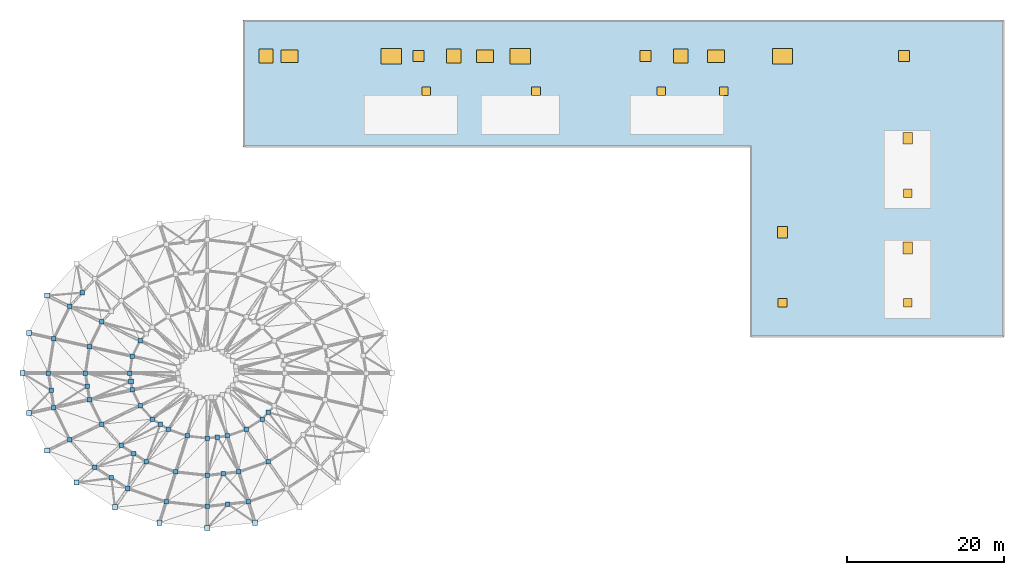
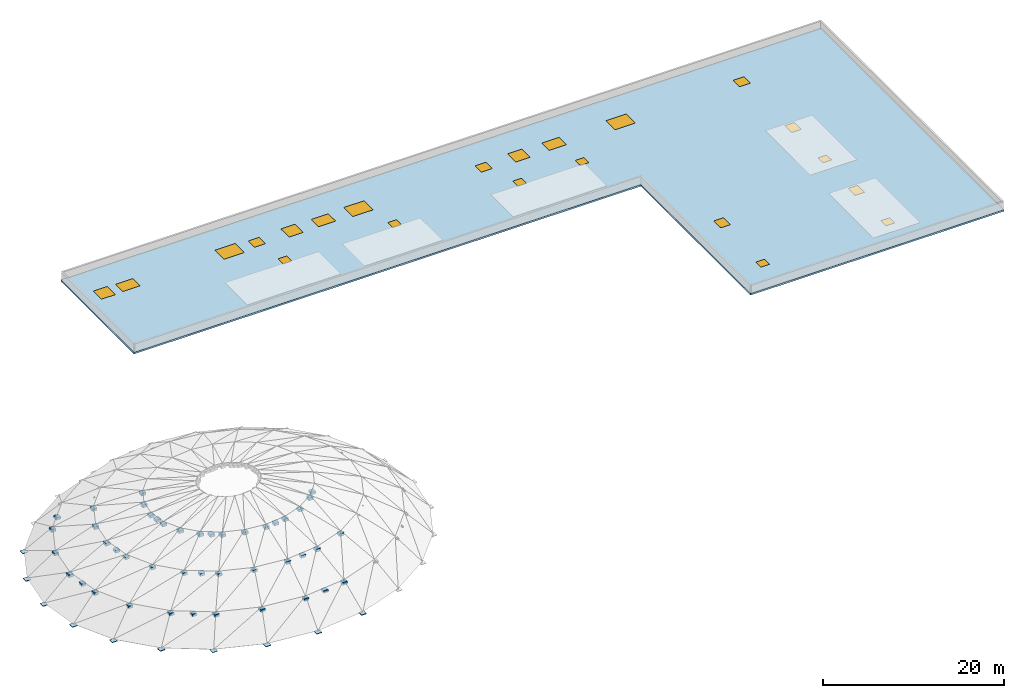
"""IFC4 building model written with IfcOpenShell, lengths in metres."""

from ifc_helpers import new_model, si_unit, direction, frame, origin, origin_2d, place, context, subcontext, project, spatial, polyline, rectangle, outline, extrude, material, layer, layer_set, type_object, element, fill, save


model = new_model("IFC4")

# Units and contexts
model_context = context("Model", 3, precision=1e-05, world=origin(), true_north=direction((0.0, 1.0)))
body_context = subcontext(model_context, "Body", "Model", "MODEL_VIEW")
ifc_project = project(units=[si_unit("LENGTHUNIT", "METRE"), si_unit("AREAUNIT", "SQUARE_METRE"), si_unit("VOLUMEUNIT", "CUBIC_METRE"), si_unit("PLANEANGLEUNIT", "RADIAN"), si_unit("MASSUNIT", "GRAM", prefix="KILO")], contexts=[model_context])

# Site, building, storey
site_placement = place(None, origin())
site = spatial("IfcSite", under=ifc_project, at=site_placement, CompositionType="ELEMENT")
building_placement = place(site_placement, origin())
building = spatial("IfcBuilding", under=site, at=building_placement, Name="Parian Resonance Hall", CompositionType="ELEMENT")
storey_1_placement = place(building_placement, frame((0.0, 0.0, 27.60009765625)))
storey_1 = spatial("IfcBuildingStorey", under=building, at=storey_1_placement, Name="ROOF", CompositionType="ELEMENT", Elevation=27.60009765625)

# Plates
ifc_material_1 = material(Name="Steel S355", Category="steel")
ifc_layer_1 = layer(ifc_material_1, 0.06005859375)
ifc_layer_set_1 = layer_set([ifc_layer_1], Name="Steel S355")
plate_type_1 = type_object("IfcPlateType", Name="PLT-BASE-060", PredefinedType="USERDEFINED", material=ifc_layer_set_1)
for number, where, z_axis, x_axis, name in (
    (1, (23.561767578125, 53.89990234375, -6.670166015625), (0.0, 0.0, 1.0), (1.0, 0.0, 0.0), "Dome arch rib base shoe plate 11"),
    (2, (20.39990234375, 44.0, -6.670166015625), (0.0, 0.0, 1.0), (1.0, 0.0, 0.0), "Dome arch rib base shoe plate 13"),
    (3, (23.561767578125, 34.10009765625, -6.670166015625), (0.0, 0.0, 1.0), (1.0, 0.0, 0.0), "Dome arch rib base shoe plate 15"),
    (4, (32.199951171875, 26.852783203125, -6.670166015625), (0.0, 0.0, 1.0), (1.0, 0.0, 0.0), "Dome arch rib base shoe plate 17"),
    (5, (44.0, 24.199951171875, -6.670166015625), (0.0, 0.0, 1.0), (1.0, 0.0, 0.0), "Dome arch rib base shoe plate 19"),
):
    element("IfcPlate", number, at=place(storey_1_placement, frame(where, z_axis=z_axis, x_axis=x_axis)), inside=storey_1, type_object=plate_type_1, Name=name, ObjectType="BASE PLATE", PredefinedType="USERDEFINED", context=body_context, shape_type="SweptSolid", body=[
        extrude(rectangle(XDim=0.64990234375, YDim=0.64990234375, at=origin_2d()), origin(), (0.0, 0.0, 1.0), 0.06005859375),
    ])
ifc_material_2 = material(Name="Steel S355", Category="steel")
ifc_layer_2 = layer(ifc_material_2, 0.080078125)
ifc_layer_set_2 = layer_set([ifc_layer_2], Name="Steel S355")
plate_type_2 = type_object("IfcPlateType", Name="PLT-BASE-080", PredefinedType="USERDEFINED", material=ifc_layer_set_2)
for number, where, z_axis, x_axis, name in (
    (6, (21.2041015625, 49.12451171875, -6.68017578125), (0.0, 0.0, 1.0), (1.0, 0.0, 0.0), "Dome arch rib base shoe plate 12"),
    (7, (21.2041015625, 38.87548828125, -6.68017578125), (0.0, 0.0, 1.0), (1.0, 0.0, 0.0), "Dome arch rib base shoe plate 14"),
    (8, (27.312255859375, 29.999267578125, -6.68017578125), (0.0, 0.0, 1.0), (1.0, 0.0, 0.0), "Dome arch rib base shoe plate 16"),
    (9, (37.891845703125, 24.874755859375, -6.68017578125), (0.0, 0.0, 1.0), (1.0, 0.0, 0.0), "Dome arch rib base shoe plate 18"),
    (10, (50.108154296875, 24.874755859375, -6.68017578125), (0.0, 0.0, 1.0), (1.0, 0.0, 0.0), "Dome arch rib base shoe plate 20"),
):
    element("IfcPlate", number, at=place(storey_1_placement, frame(where, z_axis=z_axis, x_axis=x_axis)), inside=storey_1, type_object=plate_type_2, Name=name, ObjectType="BASE PLATE", PredefinedType="USERDEFINED", context=body_context, shape_type="SweptSolid", body=[
        extrude(rectangle(XDim=0.64990234375, YDim=0.64990234375, at=origin_2d()), origin(), (0.0, 0.0, 1.0), 0.080078125),
    ])
ifc_material_3 = material(Name="Steel S355", Category="steel")
ifc_layer_3 = layer(ifc_material_3, 0.340087890625)
ifc_layer_set_3 = layer_set([ifc_layer_3], Name="Steel S355")
plate_type_3 = type_object("IfcPlateType", Name="PLT-CAP-500", PredefinedType="SHEET", material=ifc_layer_set_3)
for number, where, z_axis, x_axis, name in (
    (11, (24.050048828125, 41.7958984375, -3.9599609375), (0.0, 0.0, 1.0), (1.0, 0.0, 0.0), "Steel hollow-section node closure block 0096"),
    (12, (26.423095703125, 35.486083984375, -3.9599609375), (0.0, 0.0, 1.0), (1.0, 0.0, 0.0), "Steel hollow-section node closure block 0102"),
    (13, (28.035888671875, 54.277099609375, -3.9599609375), (0.0, 0.0, 1.0), (1.0, 0.0, 0.0), "Steel hollow-section node closure block 0111"),
    (14, (28.955078125, 40.617919921875, -1.3603515625), (0.0, 0.0, 1.0), (1.0, 0.0, 0.0), "Steel hollow-section node closure block 0114"),
    (15, (30.510986328125, 50.533935546875, -1.3603515625), (0.0, 0.0, 1.0), (1.0, 0.0, 0.0), "Steel hollow-section node closure block 0126"),
    (16, (34.426025390625, 41.847900390625, 0.43994140625), (0.0, 0.0, 1.0), (1.0, 0.0, 0.0), "Steel hollow-section node closure block 0141"),
    (17, (34.59912109375, 33.720947265625, -1.3603515625), (0.0, 0.0, 1.0), (1.0, 0.0, 0.0), "Steel hollow-section node closure block 0147"),
    (18, (39.968994140625, 31.376953125, -1.3603515625), (0.0, 0.0, 1.0), (1.0, 0.0, 0.0), "Steel hollow-section node closure block 0162"),
    (19, (44.0, 26.971923828125, -3.9599609375), (0.0, 0.0, 1.0), (1.0, 0.0, 0.0), "Steel hollow-section node closure block 0192"),
    (20, (46.626953125, 27.261962890625, -3.9599609375), (0.0, 0.0, 1.0), (1.0, 0.0, 0.0), "Steel hollow-section node closure block 0210"),
    (21, (51.7880859375, 32.68310546875, -1.3603515625), (0.0, 0.0, 1.0), (1.0, 0.0, 0.0), "Steel hollow-section node closure block 0237"),
):
    element("IfcPlate", number, at=place(storey_1_placement, frame(where, z_axis=z_axis, x_axis=x_axis)), inside=storey_1, type_object=plate_type_3, Name=name, PredefinedType="SHEET", context=body_context, shape_type="SweptSolid", body=[
        extrude(rectangle(XDim=0.580078125, YDim=0.580078125, at=origin_2d()), origin(), (0.0, 0.0, 1.0), 0.340087890625),
    ])
ifc_material_4 = material(Name="Steel S355", Category="steel")
ifc_layer_4 = layer(ifc_material_4, 0.360107421875)
ifc_layer_set_4 = layer_set([ifc_layer_4], Name="Steel S355")
plate_type_4 = type_object("IfcPlateType", Name="PLT-GUS-520", PredefinedType="USERDEFINED", material=ifc_layer_set_4)
for number, where, z_axis, x_axis, name in (
    (22, (23.7041015625, 44.0, -3.97021484375), (0.0, 0.0, 1.0), (1.0, 0.0, 0.0), "Steel hollow-section node closure block 0092"),
    (23, (24.39599609375, 48.406982421875, -3.97021484375), (0.0, 0.0, 1.0), (1.0, 0.0, 0.0), "Steel hollow-section node closure block 0098"),
    (24, (28.68896484375, 42.30908203125, -1.3701171875), (0.0, 0.0, 1.0), (1.0, 0.0, 0.0), "Steel hollow-section node closure block 0113"),
    (25, (29.64892578125, 31.958984375, -3.97021484375), (0.0, 0.0, 1.0), (1.0, 0.0, 0.0), "Steel hollow-section node closure block 0122"),
    (26, (30.510986328125, 37.466064453125, -1.3701171875), (0.0, 0.0, 1.0), (1.0, 0.0, 0.0), "Steel hollow-section node closure block 0125"),
    (27, (31.75, 30.60595703125, -3.97021484375), (0.0, 0.0, 1.0), (1.0, 0.0, 0.0), "Steel hollow-section node closure block 0128"),
    (28, (32.986083984375, 34.760009765625, -1.3701171875), (0.0, 0.0, 1.0), (1.0, 0.0, 0.0), "Steel hollow-section node closure block 0134"),
    (29, (33.85205078125, 29.2529296875, -3.97021484375), (0.0, 0.0, 1.0), (1.0, 0.0, 0.0), "Steel hollow-section node closure block 0137"),
    (30, (34.257080078125, 42.924072265625, 0.4296875), (0.0, 0.0, 1.0), (1.0, 0.0, 0.0), "Steel hollow-section node closure block 0140"),
    (31, (35.416015625, 48.157958984375, 0.4296875), (0.0, 0.0, 1.0), (1.0, 0.0, 0.0), "Steel hollow-section node closure block 0149"),
    (32, (36.2119140625, 32.68310546875, -1.3701171875), (0.0, 0.0, 1.0), (1.0, 0.0, 0.0), "Steel hollow-section node closure block 0152"),
    (33, (38.7470703125, 27.552001953125, -3.97021484375), (0.0, 0.0, 1.0), (1.0, 0.0, 0.0), "Steel hollow-section node closure block 0158"),
    (34, (41.43505859375, 35.967041015625, 0.4296875), (0.0, 0.0, 1.0), (1.0, 0.0, 0.0), "Steel hollow-section node closure block 0176"),
    (35, (44.0, 35.68408203125, 0.4296875), (0.0, 0.0, 1.0), (1.0, 0.0, 0.0), "Steel hollow-section node closure block 0194"),
    (36, (45.282958984375, 35.825927734375, 0.4296875), (0.0, 0.0, 1.0), (1.0, 0.0, 0.0), "Steel hollow-section node closure block 0203"),
    (37, (46.01611328125, 31.155029296875, -1.3701171875), (0.0, 0.0, 1.0), (1.0, 0.0, 0.0), "Steel hollow-section node closure block 0206"),
    (38, (51.7958984375, 38.98095703125, 0.4296875), (0.0, 0.0, 1.0), (1.0, 0.0, 0.0), "Steel hollow-section node closure block 0239"),
):
    element("IfcPlate", number, at=place(storey_1_placement, frame(where, z_axis=z_axis, x_axis=x_axis)), inside=storey_1, type_object=plate_type_4, Name=name, ObjectType="GUSSET PLATE", PredefinedType="USERDEFINED", context=body_context, shape_type="SweptSolid", body=[
        extrude(rectangle(XDim=0.580078125, YDim=0.580078125, at=origin_2d()), origin(), (0.0, 0.0, 1.0), 0.360107421875),
    ])
ifc_material_5 = material(Name="Steel S355", Category="steel")
ifc_layer_5 = layer(ifc_material_5, 0.3798828125)
ifc_layer_set_5 = layer_set([ifc_layer_5], Name="Steel S355")
plate_type_5 = type_object("IfcPlateType", Name="PLT-GUS-540", PredefinedType="USERDEFINED", material=ifc_layer_set_5)
for number, where, z_axis, x_axis, name in (
    (39, (24.39599609375, 39.593017578125, -3.97998046875), (0.0, 0.0, 1.0), (1.0, 0.0, 0.0), "Steel hollow-section node closure block 0097"),
    (40, (26.423095703125, 52.513916015625, -3.97998046875), (0.0, 0.0, 1.0), (1.0, 0.0, 0.0), "Steel hollow-section node closure block 0103"),
    (41, (28.424072265625, 44.0, -1.380126953125), (0.0, 0.0, 1.0), (1.0, 0.0, 0.0), "Steel hollow-section node closure block 0112"),
    (42, (28.955078125, 47.382080078125, -1.380126953125), (0.0, 0.0, 1.0), (1.0, 0.0, 0.0), "Steel hollow-section node closure block 0115"),
    (43, (34.087890625, 44.0, 0.419921875), (0.0, 0.0, 1.0), (1.0, 0.0, 0.0), "Steel hollow-section node closure block 0139"),
    (44, (34.426025390625, 46.152099609375, 0.419921875), (0.0, 0.0, 1.0), (1.0, 0.0, 0.0), "Steel hollow-section node closure block 0142"),
    (45, (35.416015625, 39.842041015625, 0.419921875), (0.0, 0.0, 1.0), (1.0, 0.0, 0.0), "Steel hollow-section node closure block 0148"),
    (46, (36.990966796875, 38.1201171875, 0.419921875), (0.0, 0.0, 1.0), (1.0, 0.0, 0.0), "Steel hollow-section node closure block 0154"),
    (47, (38.01806640625, 37.458984375, 0.419921875), (0.0, 0.0, 1.0), (1.0, 0.0, 0.0), "Steel hollow-section node closure block 0157"),
    (48, (39.0439453125, 36.798095703125, 0.419921875), (0.0, 0.0, 1.0), (1.0, 0.0, 0.0), "Steel hollow-section node closure block 0160"),
    (49, (44.0, 30.931884765625, -1.380126953125), (0.0, 0.0, 1.0), (1.0, 0.0, 0.0), "Steel hollow-section node closure block 0193"),
    (50, (46.56494140625, 35.967041015625, 0.419921875), (0.0, 0.0, 1.0), (1.0, 0.0, 0.0), "Steel hollow-section node closure block 0208"),
    (51, (48.031005859375, 31.376953125, -1.380126953125), (0.0, 0.0, 1.0), (1.0, 0.0, 0.0), "Steel hollow-section node closure block 0220"),
    (52, (48.9560546875, 36.798095703125, 0.419921875), (0.0, 0.0, 1.0), (1.0, 0.0, 0.0), "Steel hollow-section node closure block 0223"),
    (53, (49.2529296875, 27.552001953125, -3.97998046875), (0.0, 0.0, 1.0), (1.0, 0.0, 0.0), "Steel hollow-section node closure block 0226"),
    (54, (51.009033203125, 38.1201171875, 0.419921875), (0.0, 0.0, 1.0), (1.0, 0.0, 0.0), "Steel hollow-section node closure block 0235"),
):
    element("IfcPlate", number, at=place(storey_1_placement, frame(where, z_axis=z_axis, x_axis=x_axis)), inside=storey_1, type_object=plate_type_5, Name=name, ObjectType="GUSSET PLATE", PredefinedType="USERDEFINED", context=body_context, shape_type="SweptSolid", body=[
        extrude(rectangle(XDim=0.580078125, YDim=0.580078125, at=origin_2d()), origin(), (0.0, 0.0, 1.0), 0.3798828125),
    ])

# Slab, openings
ifc_material_6 = material(Name="Concrete C35/45", Category="concrete")
ifc_layer_6 = layer(ifc_material_6, 0.22998046875)
ifc_layer_set_6 = layer_set([ifc_layer_6], Name="Concrete C35/45")
slab_type = type_object("IfcSlabType", Name="SLB-ROOF-200", PredefinedType="ROOF", material=ifc_layer_set_6)
slab_placement = place(storey_1_placement, frame((0.0, 0.0, -0.22998046875)))
slab = element("IfcSlab", 55, at=slab_placement, inside=storey_1, type_object=slab_type, Name="Upper studio and plant wing main roof slab", PredefinedType="ROOF", context=body_context, shape_type="SweptSolid", body=[
    extrude(outline(polyline([(113.39990234375, 89.10009765625), (48.60009765625, 89.10009765625), (48.60009765625, 72.89990234375), (113.39990234375, 72.89990234375), (113.39990234375, 48.60009765625), (145.800048828125, 48.60009765625), (145.800048828125, 89.10009765625), (113.39990234375, 89.10009765625)])), origin(), (0.0, 0.0, 1.0), 0.22998046875),
])
opening_1_placement = place(slab_placement, frame((51.5, 84.5, 0.0)))
opening_1 = element("IfcOpeningElement", 56, at=opening_1_placement, cuts=slab, Name="Opening SK-02", PredefinedType="OPENING", context=body_context, shape_type="SweptSolid", body=[
    extrude(rectangle(XDim=1.800048828125, YDim=1.800048828125, at=origin_2d()), origin(), (0.0, 0.0, 1.0), 0.22998046875),
])
opening_2_placement = place(slab_placement, frame((54.5, 84.5, 0.0)))
opening_2 = element("IfcOpeningElement", 57, at=opening_2_placement, cuts=slab, Name="Opening SK-03", PredefinedType="OPENING", context=body_context, shape_type="SweptSolid", body=[
    extrude(rectangle(XDim=2.199951171875, YDim=1.60009765625, at=origin_2d()), origin(), (0.0, 0.0, 1.0), 0.22998046875),
])
opening_3_placement = place(slab_placement, frame((67.5, 84.5, 0.0)))
opening_3 = element("IfcOpeningElement", 58, at=opening_3_placement, cuts=slab, Name="Opening SK-04", PredefinedType="OPENING", context=body_context, shape_type="SweptSolid", body=[
    extrude(rectangle(XDim=2.60009765625, YDim=2.0, at=origin_2d()), origin(), (0.0, 0.0, 1.0), 0.22998046875),
])
opening_4_placement = place(slab_placement, frame((71.0, 84.5, 0.0)))
opening_4 = element("IfcOpeningElement", 59, at=opening_4_placement, cuts=slab, Name="Opening SK-01", PredefinedType="OPENING", context=body_context, shape_type="SweptSolid", body=[
    extrude(rectangle(XDim=1.39990234375, YDim=1.39990234375, at=origin_2d()), origin(), (0.0, 0.0, 1.0), 0.22998046875),
])
opening_5_placement = place(slab_placement, frame((75.5, 84.5, 0.0)))
opening_5 = element("IfcOpeningElement", 60, at=opening_5_placement, cuts=slab, Name="Opening SK-02", PredefinedType="OPENING", context=body_context, shape_type="SweptSolid", body=[
    extrude(rectangle(XDim=1.800048828125, YDim=1.800048828125, at=origin_2d()), origin(), (0.0, 0.0, 1.0), 0.22998046875),
])
opening_6_placement = place(slab_placement, frame((79.5, 84.5, 0.0)))
opening_6 = element("IfcOpeningElement", 61, at=opening_6_placement, cuts=slab, Name="Opening SK-03", PredefinedType="OPENING", context=body_context, shape_type="SweptSolid", body=[
    extrude(rectangle(XDim=2.199951171875, YDim=1.60009765625, at=origin_2d()), origin(), (0.0, 0.0, 1.0), 0.22998046875),
])
opening_7_placement = place(slab_placement, frame((84.0, 84.5, 0.0)))
opening_7 = element("IfcOpeningElement", 62, at=opening_7_placement, cuts=slab, Name="Opening SK-04", PredefinedType="OPENING", context=body_context, shape_type="SweptSolid", body=[
    extrude(rectangle(XDim=2.60009765625, YDim=2.0, at=origin_2d()), origin(), (0.0, 0.0, 1.0), 0.22998046875),
])
opening_8_placement = place(slab_placement, frame((100.0, 84.5, 0.0)))
opening_8 = element("IfcOpeningElement", 63, at=opening_8_placement, cuts=slab, Name="Opening SK-01", PredefinedType="OPENING", context=body_context, shape_type="SweptSolid", body=[
    extrude(rectangle(XDim=1.39990234375, YDim=1.39990234375, at=origin_2d()), origin(), (0.0, 0.0, 1.0), 0.22998046875),
])
opening_9_placement = place(slab_placement, frame((104.5, 84.5, 0.0)))
opening_9 = element("IfcOpeningElement", 64, at=opening_9_placement, cuts=slab, Name="Opening SK-02", PredefinedType="OPENING", context=body_context, shape_type="SweptSolid", body=[
    extrude(rectangle(XDim=1.800048828125, YDim=1.800048828125, at=origin_2d()), origin(), (0.0, 0.0, 1.0), 0.22998046875),
])
opening_10_placement = place(slab_placement, frame((109.0, 84.5, 0.0)))
opening_10 = element("IfcOpeningElement", 65, at=opening_10_placement, cuts=slab, Name="Opening SK-03", PredefinedType="OPENING", context=body_context, shape_type="SweptSolid", body=[
    extrude(rectangle(XDim=2.199951171875, YDim=1.60009765625, at=origin_2d()), origin(), (0.0, 0.0, 1.0), 0.22998046875),
])
opening_11_placement = place(slab_placement, frame((117.5, 84.5, 0.0)))
opening_11 = element("IfcOpeningElement", 66, at=opening_11_placement, cuts=slab, Name="Opening SK-04", PredefinedType="OPENING", context=body_context, shape_type="SweptSolid", body=[
    extrude(rectangle(XDim=2.60009765625, YDim=2.0, at=origin_2d()), origin(), (0.0, 0.0, 1.0), 0.22998046875),
])
opening_12_placement = place(slab_placement, frame((133.0, 84.5, 0.0)))
opening_12 = element("IfcOpeningElement", 67, at=opening_12_placement, cuts=slab, Name="Opening SK-01", PredefinedType="OPENING", context=body_context, shape_type="SweptSolid", body=[
    extrude(rectangle(XDim=1.39990234375, YDim=1.39990234375, at=origin_2d()), origin(), (0.0, 0.0, 1.0), 0.22998046875),
])
opening_13_placement = place(slab_placement, frame((117.5, 53.0, 0.0)))
opening_13 = element("IfcOpeningElement", 68, at=opening_13_placement, cuts=slab, Name="Opening RH-01", PredefinedType="OPENING", context=body_context, shape_type="SweptSolid", body=[
    extrude(rectangle(XDim=1.10009765625, YDim=1.10009765625, at=origin_2d()), origin(), (0.0, 0.0, 1.0), 0.22998046875),
])
opening_14_placement = place(slab_placement, frame((117.5, 62.0, 0.0)))
opening_14 = element("IfcOpeningElement", 69, at=opening_14_placement, cuts=slab, Name="Opening RH-02", PredefinedType="OPENING", context=body_context, shape_type="SweptSolid", body=[
    extrude(rectangle(XDim=1.219970703125, YDim=1.52001953125, at=origin_2d()), origin(), (0.0, 0.0, 1.0), 0.22998046875),
])
opening_15_placement = place(slab_placement, frame((133.5, 53.0, 0.0)))
opening_15 = element("IfcOpeningElement", 70, at=opening_15_placement, cuts=slab, Name="Opening RH-01", PredefinedType="OPENING", context=body_context, shape_type="SweptSolid", body=[
    extrude(rectangle(XDim=1.10009765625, YDim=1.10009765625, at=origin_2d()), origin(), (0.0, 0.0, 1.0), 0.22998046875),
])
opening_16_placement = place(slab_placement, frame((133.5, 60.0, 0.0)))
opening_16 = element("IfcOpeningElement", 71, at=opening_16_placement, cuts=slab, Name="Opening RH-02", PredefinedType="OPENING", context=body_context, shape_type="SweptSolid", body=[
    extrude(rectangle(XDim=1.219970703125, YDim=1.52001953125, at=origin_2d()), origin(), (0.0, 0.0, 1.0), 0.22998046875),
])
opening_17_placement = place(slab_placement, frame((133.5, 67.0, 0.0)))
opening_17 = element("IfcOpeningElement", 72, at=opening_17_placement, cuts=slab, Name="Opening RH-01", PredefinedType="OPENING", context=body_context, shape_type="SweptSolid", body=[
    extrude(rectangle(XDim=1.10009765625, YDim=1.10009765625, at=origin_2d()), origin(), (0.0, 0.0, 1.0), 0.22998046875),
])
opening_18_placement = place(slab_placement, frame((133.5, 74.0, 0.0)))
opening_18 = element("IfcOpeningElement", 73, at=opening_18_placement, cuts=slab, Name="Opening RH-02", PredefinedType="OPENING", context=body_context, shape_type="SweptSolid", body=[
    extrude(rectangle(XDim=1.219970703125, YDim=1.52001953125, at=origin_2d()), origin(), (0.0, 0.0, 1.0), 0.22998046875),
])
opening_19_placement = place(slab_placement, frame((72.0, 80.0, 0.0)))
opening_19 = element("IfcOpeningElement", 74, at=opening_19_placement, cuts=slab, Name="Opening RH-01", PredefinedType="OPENING", context=body_context, shape_type="SweptSolid", body=[
    extrude(rectangle(XDim=1.10009765625, YDim=1.10009765625, at=origin_2d()), origin(), (0.0, 0.0, 1.0), 0.22998046875),
])
opening_20_placement = place(slab_placement, frame((86.0, 80.0, 0.0)))
opening_20 = element("IfcOpeningElement", 75, at=opening_20_placement, cuts=slab, Name="Opening RH-01", PredefinedType="OPENING", context=body_context, shape_type="SweptSolid", body=[
    extrude(rectangle(XDim=1.10009765625, YDim=1.10009765625, at=origin_2d()), origin(), (0.0, 0.0, 1.0), 0.22998046875),
])
opening_21_placement = place(slab_placement, frame((102.0, 80.0, 0.0)))
opening_21 = element("IfcOpeningElement", 76, at=opening_21_placement, cuts=slab, Name="Opening RH-01", PredefinedType="OPENING", context=body_context, shape_type="SweptSolid", body=[
    extrude(rectangle(XDim=1.10009765625, YDim=1.10009765625, at=origin_2d()), origin(), (0.0, 0.0, 1.0), 0.22998046875),
])
opening_22_placement = place(slab_placement, frame((110.0, 80.0, 0.0)))
opening_22 = element("IfcOpeningElement", 77, at=opening_22_placement, cuts=slab, Name="Opening RH-01", PredefinedType="OPENING", context=body_context, shape_type="SweptSolid", body=[
    extrude(rectangle(XDim=1.10009765625, YDim=1.10009765625, at=origin_2d()), origin(), (0.0, 0.0, 1.0), 0.22998046875),
])

# Storey
storey_2_placement = place(building_placement, frame((0.0, 0.0, 23.39990234375)))
storey_2 = spatial("IfcBuildingStorey", under=building, at=storey_2_placement, Name="L05", CompositionType="ELEMENT", Elevation=23.39990234375)

# Door
ifc_material_7 = material(Name="Galvanised steel acoustic roller shutter", Category="steel")
door_type_1 = type_object("IfcDoorType", Name="HATCH-ROOF-1100x1100", OperationType="NOTDEFINED", PredefinedType="TRAPDOOR", material=ifc_material_7)
door_1_placement = place(opening_13_placement, frame((0.0, 0.0, 0.179931640625)))
door_1 = element("IfcDoor", 78, at=door_1_placement, inside=storey_2, type_object=door_type_1, Name="Roof maintenance access hatch RH-01", OperationType="SINGLE_SWING_LEFT", OverallHeight=1.10009765625, OverallWidth=1.10009765625, PredefinedType="TRAPDOOR", context=body_context, shape_type="SweptSolid", body=[
    extrude(rectangle(XDim=1.10009765625, YDim=1.10009765625, at=origin_2d()), origin(), (0.0, 0.0, 1.0), 0.050048828125),
])

fill(opening_13, door_1)

door_2_placement = place(opening_15_placement, frame((0.0, 0.0, 0.179931640625)))
door_2 = element("IfcDoor", 79, at=door_2_placement, inside=storey_2, type_object=door_type_1, Name="Roof maintenance access hatch RH-03", OperationType="SINGLE_SWING_LEFT", OverallHeight=1.10009765625, OverallWidth=1.10009765625, PredefinedType="TRAPDOOR", context=body_context, shape_type="SweptSolid", body=[
    extrude(rectangle(XDim=1.10009765625, YDim=1.10009765625, at=origin_2d()), origin(), (0.0, 0.0, 1.0), 0.050048828125),
])

fill(opening_15, door_2)

door_3_placement = place(opening_17_placement, frame((0.0, 0.0, 0.179931640625)))
door_3 = element("IfcDoor", 80, at=door_3_placement, inside=storey_2, type_object=door_type_1, Name="Roof maintenance access hatch RH-05", OperationType="SINGLE_SWING_LEFT", OverallHeight=1.10009765625, OverallWidth=1.10009765625, PredefinedType="TRAPDOOR", context=body_context, shape_type="SweptSolid", body=[
    extrude(rectangle(XDim=1.10009765625, YDim=1.10009765625, at=origin_2d()), origin(), (0.0, 0.0, 1.0), 0.050048828125),
])

fill(opening_17, door_3)

door_4_placement = place(opening_19_placement, frame((0.0, 0.0, 0.179931640625)))
door_4 = element("IfcDoor", 81, at=door_4_placement, inside=storey_2, type_object=door_type_1, Name="Plinth roof maintenance hatch RH-07", OperationType="SINGLE_SWING_LEFT", OverallHeight=1.10009765625, OverallWidth=1.10009765625, PredefinedType="TRAPDOOR", context=body_context, shape_type="SweptSolid", body=[
    extrude(rectangle(XDim=1.10009765625, YDim=1.10009765625, at=origin_2d()), origin(), (0.0, 0.0, 1.0), 0.050048828125),
])

fill(opening_19, door_4)

door_5_placement = place(opening_20_placement, frame((0.0, 0.0, 0.179931640625)))
door_5 = element("IfcDoor", 82, at=door_5_placement, inside=storey_2, type_object=door_type_1, Name="Plinth roof maintenance hatch RH-08", OperationType="SINGLE_SWING_LEFT", OverallHeight=1.10009765625, OverallWidth=1.10009765625, PredefinedType="TRAPDOOR", context=body_context, shape_type="SweptSolid", body=[
    extrude(rectangle(XDim=1.10009765625, YDim=1.10009765625, at=origin_2d()), origin(), (0.0, 0.0, 1.0), 0.050048828125),
])

fill(opening_20, door_5)

door_6_placement = place(opening_21_placement, frame((0.0, 0.0, 0.179931640625)))
door_6 = element("IfcDoor", 83, at=door_6_placement, inside=storey_2, type_object=door_type_1, Name="Plinth roof maintenance hatch RH-09", OperationType="SINGLE_SWING_LEFT", OverallHeight=1.10009765625, OverallWidth=1.10009765625, PredefinedType="TRAPDOOR", context=body_context, shape_type="SweptSolid", body=[
    extrude(rectangle(XDim=1.10009765625, YDim=1.10009765625, at=origin_2d()), origin(), (0.0, 0.0, 1.0), 0.050048828125),
])

fill(opening_21, door_6)

door_7_placement = place(opening_22_placement, frame((0.0, 0.0, 0.179931640625)))
door_7 = element("IfcDoor", 84, at=door_7_placement, inside=storey_2, type_object=door_type_1, Name="Plinth roof maintenance hatch RH-10", OperationType="SINGLE_SWING_LEFT", OverallHeight=1.10009765625, OverallWidth=1.10009765625, PredefinedType="TRAPDOOR", context=body_context, shape_type="SweptSolid", body=[
    extrude(rectangle(XDim=1.10009765625, YDim=1.10009765625, at=origin_2d()), origin(), (0.0, 0.0, 1.0), 0.050048828125),
])

fill(opening_22, door_7)

ifc_material_8 = material(Name="Galvanised steel acoustic roller shutter", Category="steel")
door_type_2 = type_object("IfcDoorType", Name="HATCH-ROOF-1220x1520", OperationType="NOTDEFINED", PredefinedType="TRAPDOOR", material=ifc_material_8)
door_8_placement = place(opening_14_placement, frame((0.0, 0.0, 0.179931640625)))
door_8 = element("IfcDoor", 85, at=door_8_placement, inside=storey_2, type_object=door_type_2, Name="Roof maintenance access hatch RH-02", OperationType="SINGLE_SWING_LEFT", OverallHeight=1.52001953125, OverallWidth=1.219970703125, PredefinedType="TRAPDOOR", context=body_context, shape_type="SweptSolid", body=[
    extrude(rectangle(XDim=1.219970703125, YDim=1.52001953125, at=origin_2d()), origin(), (0.0, 0.0, 1.0), 0.050048828125),
])

fill(opening_14, door_8)

door_9_placement = place(opening_16_placement, frame((0.0, 0.0, 0.179931640625)))
door_9 = element("IfcDoor", 86, at=door_9_placement, inside=storey_2, type_object=door_type_2, Name="Roof maintenance access hatch RH-04", OperationType="SINGLE_SWING_LEFT", OverallHeight=1.52001953125, OverallWidth=1.219970703125, PredefinedType="TRAPDOOR", context=body_context, shape_type="SweptSolid", body=[
    extrude(rectangle(XDim=1.219970703125, YDim=1.52001953125, at=origin_2d()), origin(), (0.0, 0.0, 1.0), 0.050048828125),
])

fill(opening_16, door_9)

door_10_placement = place(opening_18_placement, frame((0.0, 0.0, 0.179931640625)))
door_10 = element("IfcDoor", 87, at=door_10_placement, inside=storey_2, type_object=door_type_2, Name="Roof maintenance access hatch RH-06", OperationType="SINGLE_SWING_LEFT", OverallHeight=1.52001953125, OverallWidth=1.219970703125, PredefinedType="TRAPDOOR", context=body_context, shape_type="SweptSolid", body=[
    extrude(rectangle(XDim=1.219970703125, YDim=1.52001953125, at=origin_2d()), origin(), (0.0, 0.0, 1.0), 0.050048828125),
])

fill(opening_18, door_10)

# Window
ifc_material_9 = material(Name="Acoustic laminated double glazing", Category="glass")
window_type_1 = type_object("IfcWindowType", Name="SKY-01", PartitioningType="SINGLE_PANEL", PredefinedType="SKYLIGHT", material=ifc_material_9)
window_1_placement = place(opening_4_placement, frame((0.0, 0.0, 0.179931640625)))
window_1 = element("IfcWindow", 88, at=window_1_placement, inside=storey_2, type_object=window_type_1, Name="Acoustic studio skylight SK-04", OverallHeight=1.39990234375, OverallWidth=1.39990234375, PartitioningType="SINGLE_PANEL", PredefinedType="SKYLIGHT", context=body_context, shape_type="SweptSolid", body=[
    extrude(rectangle(XDim=1.39990234375, YDim=1.39990234375, at=origin_2d()), origin(), (0.0, 0.0, 1.0), 0.050048828125),
])

fill(opening_4, window_1)

window_2_placement = place(opening_8_placement, frame((0.0, 0.0, 0.179931640625)))
window_2 = element("IfcWindow", 89, at=window_2_placement, inside=storey_2, type_object=window_type_1, Name="Acoustic studio skylight SK-08", OverallHeight=1.39990234375, OverallWidth=1.39990234375, PartitioningType="SINGLE_PANEL", PredefinedType="SKYLIGHT", context=body_context, shape_type="SweptSolid", body=[
    extrude(rectangle(XDim=1.39990234375, YDim=1.39990234375, at=origin_2d()), origin(), (0.0, 0.0, 1.0), 0.050048828125),
])

fill(opening_8, window_2)

window_3_placement = place(opening_12_placement, frame((0.0, 0.0, 0.179931640625)))
window_3 = element("IfcWindow", 90, at=window_3_placement, inside=storey_2, type_object=window_type_1, Name="Acoustic studio skylight SK-12", OverallHeight=1.39990234375, OverallWidth=1.39990234375, PartitioningType="SINGLE_PANEL", PredefinedType="SKYLIGHT", context=body_context, shape_type="SweptSolid", body=[
    extrude(rectangle(XDim=1.39990234375, YDim=1.39990234375, at=origin_2d()), origin(), (0.0, 0.0, 1.0), 0.050048828125),
])

fill(opening_12, window_3)

ifc_material_10 = material(Name="Acoustic laminated double glazing", Category="glass")
window_type_2 = type_object("IfcWindowType", Name="SKY-02", PartitioningType="SINGLE_PANEL", PredefinedType="SKYLIGHT", material=ifc_material_10)
window_4_placement = place(opening_1_placement, frame((0.0, 0.0, 0.179931640625)))
window_4 = element("IfcWindow", 91, at=window_4_placement, inside=storey_2, type_object=window_type_2, Name="Acoustic studio skylight SK-01", OverallHeight=1.800048828125, OverallWidth=1.800048828125, PartitioningType="SINGLE_PANEL", PredefinedType="SKYLIGHT", context=body_context, shape_type="SweptSolid", body=[
    extrude(rectangle(XDim=1.800048828125, YDim=1.800048828125, at=origin_2d()), origin(), (0.0, 0.0, 1.0), 0.050048828125),
])

fill(opening_1, window_4)

window_5_placement = place(opening_5_placement, frame((0.0, 0.0, 0.179931640625)))
window_5 = element("IfcWindow", 92, at=window_5_placement, inside=storey_2, type_object=window_type_2, Name="Acoustic studio skylight SK-05", OverallHeight=1.800048828125, OverallWidth=1.800048828125, PartitioningType="SINGLE_PANEL", PredefinedType="SKYLIGHT", context=body_context, shape_type="SweptSolid", body=[
    extrude(rectangle(XDim=1.800048828125, YDim=1.800048828125, at=origin_2d()), origin(), (0.0, 0.0, 1.0), 0.050048828125),
])

fill(opening_5, window_5)

window_6_placement = place(opening_9_placement, frame((0.0, 0.0, 0.179931640625)))
window_6 = element("IfcWindow", 93, at=window_6_placement, inside=storey_2, type_object=window_type_2, Name="Acoustic studio skylight SK-09", OverallHeight=1.800048828125, OverallWidth=1.800048828125, PartitioningType="SINGLE_PANEL", PredefinedType="SKYLIGHT", context=body_context, shape_type="SweptSolid", body=[
    extrude(rectangle(XDim=1.800048828125, YDim=1.800048828125, at=origin_2d()), origin(), (0.0, 0.0, 1.0), 0.050048828125),
])

fill(opening_9, window_6)

ifc_material_11 = material(Name="Acoustic laminated double glazing", Category="glass")
window_type_3 = type_object("IfcWindowType", Name="SKY-03", PartitioningType="SINGLE_PANEL", PredefinedType="SKYLIGHT", material=ifc_material_11)
window_7_placement = place(opening_2_placement, frame((0.0, 0.0, 0.179931640625)))
window_7 = element("IfcWindow", 94, at=window_7_placement, inside=storey_2, type_object=window_type_3, Name="Acoustic studio skylight SK-02", OverallHeight=1.60009765625, OverallWidth=2.199951171875, PartitioningType="SINGLE_PANEL", PredefinedType="SKYLIGHT", context=body_context, shape_type="SweptSolid", body=[
    extrude(rectangle(XDim=2.199951171875, YDim=1.60009765625, at=origin_2d()), origin(), (0.0, 0.0, 1.0), 0.050048828125),
])

fill(opening_2, window_7)

window_8_placement = place(opening_6_placement, frame((0.0, 0.0, 0.179931640625)))
window_8 = element("IfcWindow", 95, at=window_8_placement, inside=storey_2, type_object=window_type_3, Name="Acoustic studio skylight SK-06", OverallHeight=1.60009765625, OverallWidth=2.199951171875, PartitioningType="SINGLE_PANEL", PredefinedType="SKYLIGHT", context=body_context, shape_type="SweptSolid", body=[
    extrude(rectangle(XDim=2.199951171875, YDim=1.60009765625, at=origin_2d()), origin(), (0.0, 0.0, 1.0), 0.050048828125),
])

fill(opening_6, window_8)

window_9_placement = place(opening_10_placement, frame((0.0, 0.0, 0.179931640625)))
window_9 = element("IfcWindow", 96, at=window_9_placement, inside=storey_2, type_object=window_type_3, Name="Acoustic studio skylight SK-10", OverallHeight=1.60009765625, OverallWidth=2.199951171875, PartitioningType="SINGLE_PANEL", PredefinedType="SKYLIGHT", context=body_context, shape_type="SweptSolid", body=[
    extrude(rectangle(XDim=2.199951171875, YDim=1.60009765625, at=origin_2d()), origin(), (0.0, 0.0, 1.0), 0.050048828125),
])

fill(opening_10, window_9)

ifc_material_12 = material(Name="Acoustic laminated double glazing", Category="glass")
window_type_4 = type_object("IfcWindowType", Name="SKY-04", PartitioningType="SINGLE_PANEL", PredefinedType="SKYLIGHT", material=ifc_material_12)
window_10_placement = place(opening_3_placement, frame((0.0, 0.0, 0.179931640625)))
window_10 = element("IfcWindow", 97, at=window_10_placement, inside=storey_2, type_object=window_type_4, Name="Acoustic studio skylight SK-03", OverallHeight=2.0, OverallWidth=2.60009765625, PartitioningType="SINGLE_PANEL", PredefinedType="SKYLIGHT", context=body_context, shape_type="SweptSolid", body=[
    extrude(rectangle(XDim=2.60009765625, YDim=2.0, at=origin_2d()), origin(), (0.0, 0.0, 1.0), 0.050048828125),
])

fill(opening_3, window_10)

window_11_placement = place(opening_7_placement, frame((0.0, 0.0, 0.179931640625)))
window_11 = element("IfcWindow", 98, at=window_11_placement, inside=storey_2, type_object=window_type_4, Name="Acoustic studio skylight SK-07", OverallHeight=2.0, OverallWidth=2.60009765625, PartitioningType="SINGLE_PANEL", PredefinedType="SKYLIGHT", context=body_context, shape_type="SweptSolid", body=[
    extrude(rectangle(XDim=2.60009765625, YDim=2.0, at=origin_2d()), origin(), (0.0, 0.0, 1.0), 0.050048828125),
])

fill(opening_7, window_11)

window_12_placement = place(opening_11_placement, frame((0.0, 0.0, 0.179931640625)))
window_12 = element("IfcWindow", 99, at=window_12_placement, inside=storey_2, type_object=window_type_4, Name="Acoustic studio skylight SK-11", OverallHeight=2.0, OverallWidth=2.60009765625, PartitioningType="SINGLE_PANEL", PredefinedType="SKYLIGHT", context=body_context, shape_type="SweptSolid", body=[
    extrude(rectangle(XDim=2.60009765625, YDim=2.0, at=origin_2d()), origin(), (0.0, 0.0, 1.0), 0.050048828125),
])

fill(opening_11, window_12)

save(model, "model.ifc")
